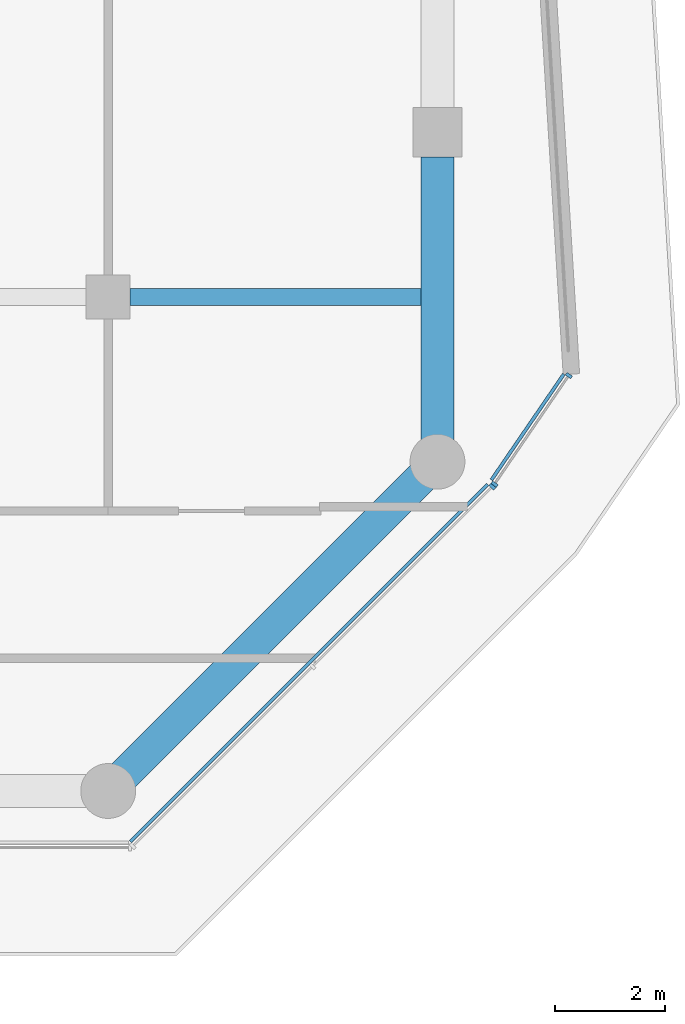
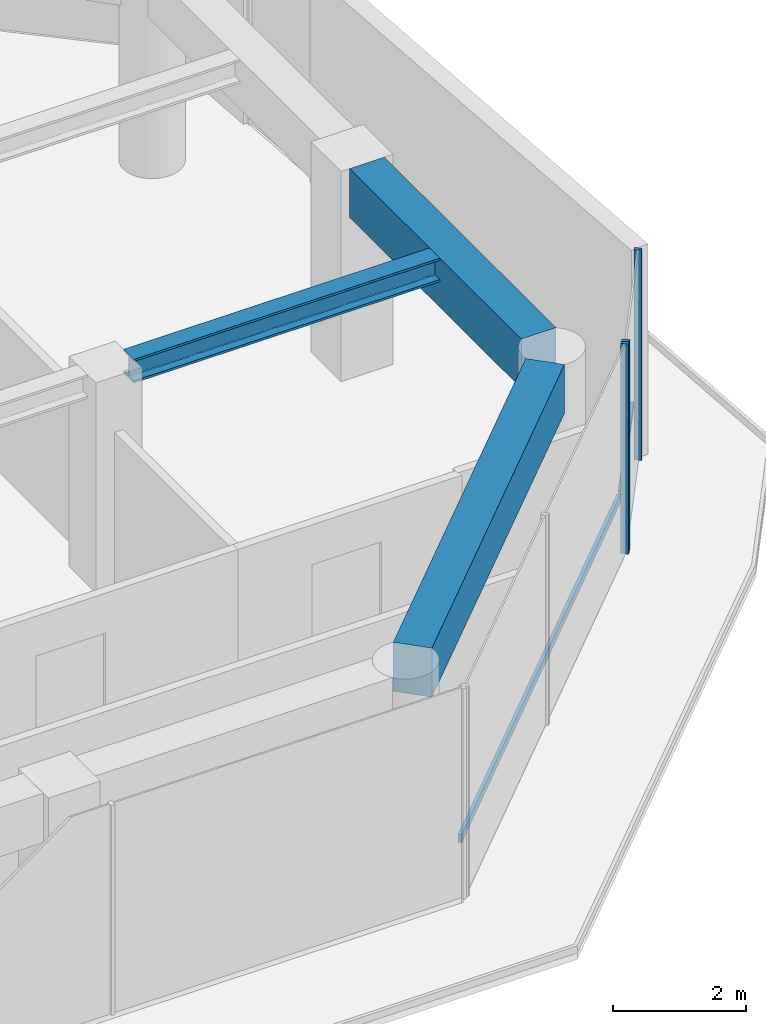
# One storey, part 7 of 23: 5 members, 3 beams, 2 elements without a shape of their own.
"""IFC4 building model written with IfcOpenShell, lengths in metres."""

from ifc_helpers import new_model, si_unit, direction, frame, origin, origin_2d, place, context, subcontext, project, spatial, rectangle, i_section, extrude, material, layer, layer_set, material_profile, profile_set, type_object, element, aggregate, save


model = new_model("IFC4")

# Units and contexts
model_context = context("Model", 3, precision=1e-05, world=origin(), true_north=direction((0.0, 1.0)))
body_context = subcontext(model_context, "Body", "Model", "MODEL_VIEW")
ifc_project = project(units=[si_unit("LENGTHUNIT", "METRE"), si_unit("AREAUNIT", "SQUARE_METRE"), si_unit("VOLUMEUNIT", "CUBIC_METRE"), si_unit("PLANEANGLEUNIT", "RADIAN"), si_unit("MASSUNIT", "GRAM", prefix="KILO")], contexts=[model_context])

# Site, building, storey
site_placement = place(None, origin())
site = spatial("IfcSite", under=ifc_project, at=site_placement, CompositionType="ELEMENT")
building_placement = place(site_placement, origin())
building = spatial("IfcBuilding", under=site, at=building_placement, Name="Welwitschia Terrace Campus", CompositionType="ELEMENT")
storey_placement = place(building_placement, frame((0.0, 0.0, 96.199951171875)))
storey = spatial("IfcBuildingStorey", under=building, at=storey_placement, Name="L21", CompositionType="ELEMENT", Elevation=96.199951171875)

# Beam
ifc_material_1 = material(Name="Steel S355", Category="steel")
ifc_material_profile_1 = material_profile(ifc_material_1, i_section(OverallWidth=0.306884765625, OverallDepth=0.431884765625, WebThickness=0.02099609375, FlangeThickness=0.0400390625, FilletRadius=0.027099609375, at=origin_2d()))
ifc_profile_set_1 = profile_set([ifc_material_profile_1], Name="Steel S355")
beam_type_1 = type_object("IfcBeamType", Name="Interior girder HE 400 M", PredefinedType="BEAM", material=ifc_profile_set_1)
beam_1_placement = place(storey_placement, frame((48.400390625, 13.0, 3.634033203125), z_axis=(1.0, 0.0, 0.0), x_axis=(0.0, 1.0, 0.0)))
element("IfcBeam", 1, at=beam_1_placement, inside=storey, type_object=beam_type_1, Name="Girder GB3", PredefinedType="BEAM", context=body_context, shape_type="SweptSolid", body=[
    extrude(i_section(OverallWidth=0.306884765625, OverallDepth=0.431884765625, WebThickness=0.02099609375, FlangeThickness=0.0400390625, FilletRadius=0.027099609375, at=origin_2d()), origin(), (0.0, 0.0, 1.0), 5.609619140625),
])

# Curtain wall, member
ifc_material_2 = material(Name="Bronze anodised aluminium", Category="aluminium")
ifc_layer = layer(ifc_material_2, 0.1201171875)
ifc_layer_set = layer_set([ifc_layer], Name="Bronze anodised aluminium")
curtain_wall_type = type_object("IfcCurtainWallType", Name="Curtain wall CW2 tower 6000", PredefinedType="NOTDEFINED", material=ifc_layer_set)
curtain_wall_1_placement = place(storey_placement, origin())
curtain_wall_1 = element("IfcCurtainWall", 2, at=curtain_wall_1_placement, inside=storey, type_object=curtain_wall_type, Name="CW L21.2.0", PredefinedType="NOTDEFINED")
ifc_material_3 = material(Name="Bronze anodised aluminium", Category="aluminium")
ifc_material_profile_2 = material_profile(ifc_material_3, rectangle(XDim=0.1201171875, YDim=0.06005859375, at=origin_2d()))
ifc_profile_set_2 = profile_set([ifc_material_profile_2], Name="Bronze anodised aluminium")
member_type_1 = type_object("IfcMemberType", Name="Mullion 60x120", PredefinedType="MULLION", material=ifc_profile_set_2)
member_1_placement = place(storey_placement, frame((55.001953125, 9.54541015625, 0.0), z_axis=(0.0, 0.0, 1.0), x_axis=(-0.707106781187, 0.707106781187, 0.0)))
member_1 = element("IfcMember", 3, at=member_1_placement, type_object=member_type_1, Name="Mullion L21.2.0.2", PredefinedType="MULLION", context=body_context, shape_type="SweptSolid", body=[
    extrude(rectangle(XDim=0.1201171875, YDim=0.06005859375, at=origin_2d()), origin(), (0.0, 0.0, 1.0), 3.85009765625),
])

# Curtain wall, members
curtain_wall_2_placement = place(storey_placement, origin())
curtain_wall_2 = element("IfcCurtainWall", 4, at=curtain_wall_2_placement, inside=storey, type_object=curtain_wall_type, Name="CW L21.3.0", PredefinedType="NOTDEFINED")
member_2_placement = place(storey_placement, frame((55.0400390625, 9.59130859375, 0.0), z_axis=(0.0, 0.0, 1.0), x_axis=(-0.825316016523, 0.56467111921, 0.0)))
member_2 = element("IfcMember", 5, at=member_2_placement, type_object=member_type_1, Name="Mullion L21.3.0.0", PredefinedType="MULLION", context=body_context, shape_type="SweptSolid", body=[
    extrude(rectangle(XDim=0.1201171875, YDim=0.06005859375, at=origin_2d()), origin(), (0.0, 0.0, 1.0), 3.85009765625),
])
member_3_placement = place(storey_placement, frame((56.393798828125, 11.56982421875, 0.0), z_axis=(0.0, 0.0, 1.0), x_axis=(-0.825316016523, 0.56467111921, 0.0)))
member_3 = element("IfcMember", 6, at=member_3_placement, type_object=member_type_1, Name="Mullion L21.3.0.1", PredefinedType="MULLION", context=body_context, shape_type="SweptSolid", body=[
    extrude(rectangle(XDim=0.1201171875, YDim=0.06005859375, at=origin_2d()), origin(), (0.0, 0.0, 1.0), 3.85009765625),
])

# Beams
ifc_material_4 = material(Name="Concrete C60/75", Category="concrete")
ifc_material_profile_3 = material_profile(ifc_material_4, rectangle(XDim=0.60009765625, YDim=0.89990234375, at=origin_2d()))
ifc_profile_set_3 = profile_set([ifc_material_profile_3], Name="Concrete C60/75")
beam_type_2 = type_object("IfcBeamType", Name="Ring spandrel 600x900", PredefinedType="SPANDREL", material=ifc_profile_set_3)
beam_2_placement = place(storey_placement, frame((48.283203125, 4.283203125, 3.400146484375), z_axis=(0.707106781187, 0.707106781187, 0.0), x_axis=(-0.707106781187, 0.707106781187, 0.0)))
element("IfcBeam", 7, at=beam_2_placement, inside=storey, type_object=beam_type_2, Name="Spandrel SP2", PredefinedType="SPANDREL", context=body_context, shape_type="SweptSolid", body=[
    extrude(rectangle(XDim=0.60009765625, YDim=0.89990234375, at=origin_2d()), origin(), (0.0, 0.0, 1.0), 7.684326171875),
])
beam_3_placement = place(storey_placement, frame((54.0, 10.400390625, 3.400146484375), z_axis=(0.0, 1.0, 0.0), x_axis=(-1.0, 0.0, 0.0)))
element("IfcBeam", 8, at=beam_3_placement, inside=storey, type_object=beam_type_2, Name="Spandrel SP2", PredefinedType="SPANDREL", context=body_context, shape_type="SweptSolid", body=[
    extrude(rectangle(XDim=0.60009765625, YDim=0.89990234375, at=origin_2d()), origin(), (0.0, 0.0, 1.0), 5.149169921875),
])

# Member
ifc_material_5 = material(Name="Bronze anodised aluminium", Category="aluminium")
ifc_material_profile_4 = material_profile(ifc_material_5, rectangle(XDim=0.06005859375, YDim=0.14990234375, at=origin_2d()))
ifc_profile_set_4 = profile_set([ifc_material_profile_4], Name="Bronze anodised aluminium")
member_type_2 = type_object("IfcMemberType", Name="Transom 60x150", PredefinedType="USERDEFINED", material=ifc_profile_set_4)
member_4_placement = place(storey_placement, frame((48.405517578125, 3.076171875, 1.0), z_axis=(0.707120036912, 0.707093525213, 0.0), x_axis=(-0.707093525213, 0.707120036912, 0.0)))
member_4 = element("IfcMember", 9, at=member_4_placement, type_object=member_type_2, Name="Transom L21.2.0", ObjectType="TRANSOM", PredefinedType="USERDEFINED", context=body_context, shape_type="SweptSolid", body=[
    extrude(rectangle(XDim=0.06005859375, YDim=0.14990234375, at=origin_2d()), origin(), (0.0, 0.0, 1.0), 9.208740234375),
])

aggregate(curtain_wall_1, [member_1, member_4])

member_5_placement = place(storey_placement, frame((54.982666015625, 9.6669921875, 1.0), z_axis=(0.564736343922, 0.82527138679, 0.0), x_axis=(-0.82527138679, 0.564736343922, 0.0)))
member_5 = element("IfcMember", 10, at=member_5_placement, type_object=member_type_2, Name="Transom L21.3.0", ObjectType="TRANSOM", PredefinedType="USERDEFINED", context=body_context, shape_type="SweptSolid", body=[
    extrude(rectangle(XDim=0.06005859375, YDim=0.14990234375, at=origin_2d()), origin(), (0.0, 0.0, 1.0), 2.337158203125),
])

aggregate(curtain_wall_2, [member_2, member_3, member_5])

save(model, "model.ifc")
